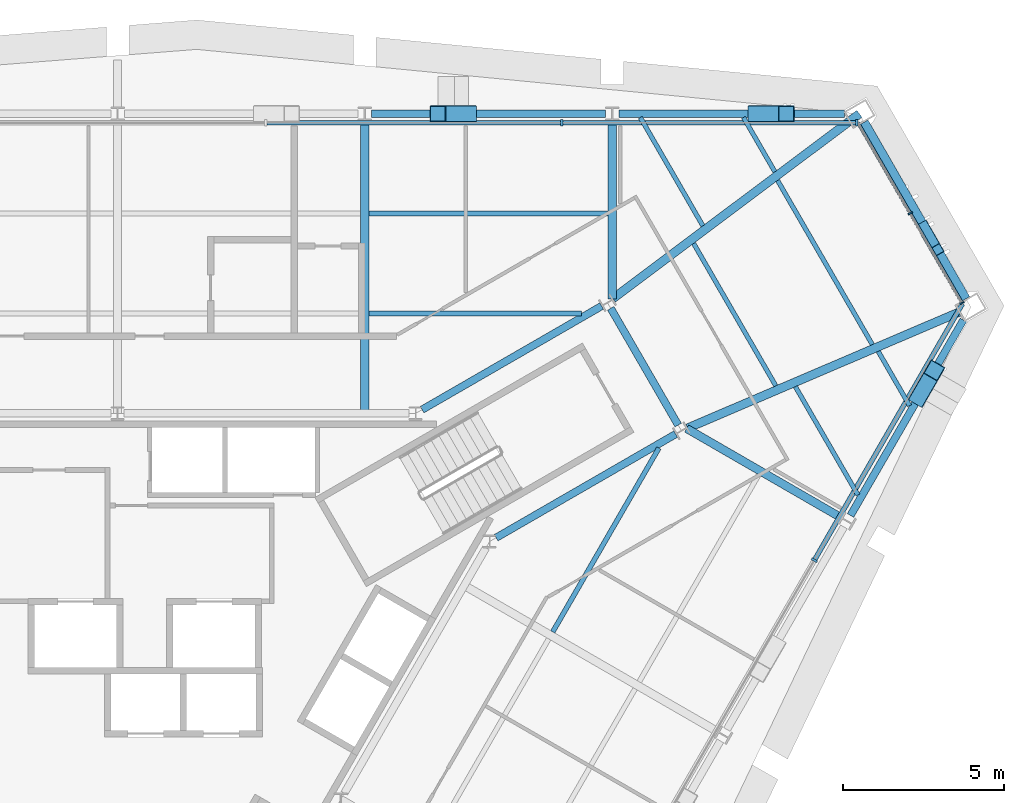
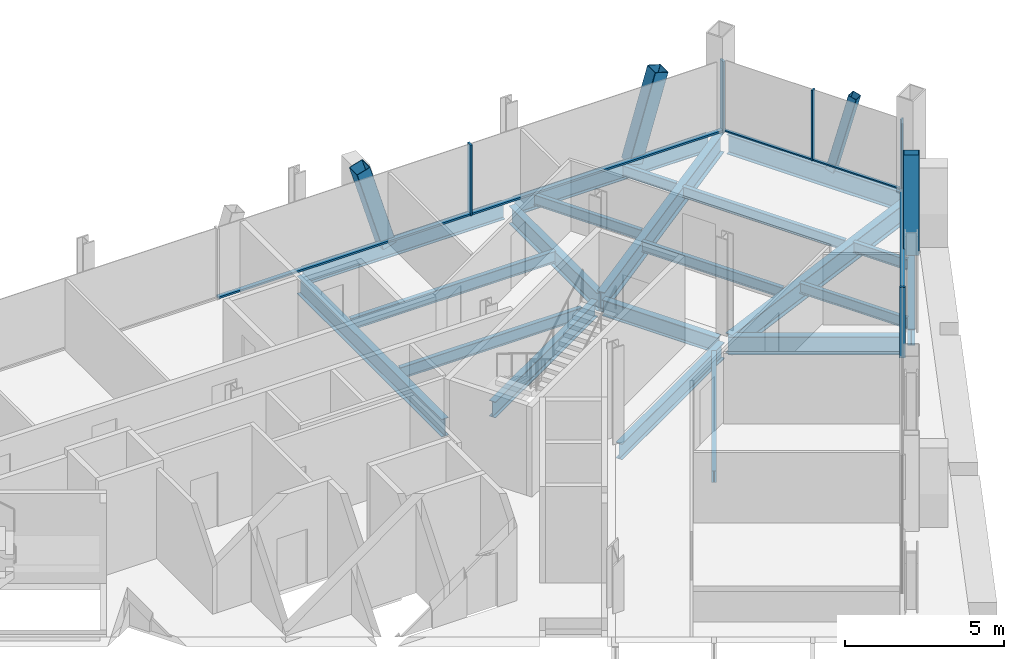
# One storey, part 6 of 13: 21 beams, 14 members, 3 elements without a shape of their own.
"""IFC4 building model written with IfcOpenShell, lengths in metres."""

from ifc_helpers import new_model, si_unit, direction, frame, origin, origin_2d, place, context, subcontext, project, spatial, rectangle, hollow_rectangle, i_section, extrude, material, material_profile, profile_set, type_object, element, aggregate, save


model = new_model("IFC4")

# Units and contexts
model_context = context("Model", 3, precision=1e-05, world=origin(), true_north=direction((0.0, 1.0)))
body_context = subcontext(model_context, "Body", "Model", "MODEL_VIEW")
ifc_project = project(units=[si_unit("LENGTHUNIT", "METRE"), si_unit("AREAUNIT", "SQUARE_METRE"), si_unit("VOLUMEUNIT", "CUBIC_METRE"), si_unit("PLANEANGLEUNIT", "RADIAN"), si_unit("MASSUNIT", "GRAM", prefix="KILO")], contexts=[model_context])

# Site, building, storey
site_placement = place(None, origin())
site = spatial("IfcSite", under=ifc_project, at=site_placement, CompositionType="ELEMENT")
building_placement = place(site_placement, origin())
building = spatial("IfcBuilding", under=site, at=building_placement, Name="Verrane Prism Tower", CompositionType="ELEMENT")
storey_placement = place(building_placement, frame((0.0, 0.0, 163.60009765625)))
storey = spatial("IfcBuildingStorey", under=building, at=storey_placement, Name="L40", CompositionType="ELEMENT", Elevation=163.60009765625)

# Member
ifc_material_1 = material(Name="Steel A500 Grade C", Category="steel")
ifc_material_profile_1 = material_profile(ifc_material_1, hollow_rectangle(XDim=0.3046875, YDim=0.3046875, WallThickness=0.0126953125, InnerFilletRadius=0.00634765625, OuterFilletRadius=0.01904296875, at=origin_2d()), Name="HSS12x12x1/2")
ifc_profile_set_1 = profile_set([ifc_material_profile_1], Name="Steel A500 Grade C")
member_type_1 = type_object("IfcMemberType", Name="Chamfer brace HSS12x12x1/2", PredefinedType="BRACE", material=ifc_profile_set_1)
member_1_placement = place(storey_placement, frame((25.066650390625, 13.80712890625, -0.24267578125), z_axis=(0.129062380199, -0.224208896818, 0.965957179488), x_axis=(0.866668570317, 0.498884344538, 0.0)))
element("IfcMember", 1, at=member_1_placement, inside=storey, type_object=member_type_1, Name="Chamfer brace NE0 L40", PredefinedType="BRACE", context=body_context, shape_type="SweptSolid", body=[
    extrude(hollow_rectangle(XDim=0.3046875, YDim=0.3046875, WallThickness=0.0126953125, InnerFilletRadius=0.00634765625, OuterFilletRadius=0.01904296875, at=origin_2d()), origin(), (0.0, 0.0, 1.0), 3.2177734375),
])

# Beams
ifc_material_2 = material(Name="Steel A992", Category="steel")
ifc_material_profile_2 = material_profile(ifc_material_2, i_section(OverallWidth=0.2666015625, OverallDepth=0.7568359375, WebThickness=0.013916015625, FlangeThickness=0.019287109375, FilletRadius=0.0166015625, at=origin_2d()), Name="W30x108")
ifc_profile_set_2 = profile_set([ifc_material_profile_2], Name="Steel A992")
beam_type_1 = type_object("IfcBeamType", Name="Chamfer spandrel beam W30x108", PredefinedType="SPANDREL", material=ifc_profile_set_2)
beam_1_placement = place(storey_placement, frame((26.3603515625, 11.56005859375, -0.53857421875), z_axis=(-0.498933745764, 0.866640131391, 0.0), x_axis=(-0.866640131391, -0.498933745764, 0.0)))
element("IfcBeam", 2, at=beam_1_placement, inside=storey, type_object=beam_type_1, Name="Chamfer spandrel beam L40", PredefinedType="SPANDREL", context=body_context, shape_type="SweptSolid", body=[
    extrude(i_section(OverallWidth=0.2666015625, OverallDepth=0.7568359375, WebThickness=0.013916015625, FlangeThickness=0.019287109375, FilletRadius=0.0166015625, at=origin_2d()), origin(), (0.0, 0.0, 1.0), 6.334716796875),
])
ifc_material_3 = material(Name="Steel A992", Category="steel")
ifc_material_profile_3 = material_profile(ifc_material_3, i_section(OverallWidth=0.23046875, OverallDepth=0.6171875, WebThickness=0.01318359375, FlangeThickness=0.022216796875, FilletRadius=0.012939453125, at=origin_2d()), Name="W24x94")
ifc_profile_set_3 = profile_set([ifc_material_profile_3], Name="Steel A992")
beam_type_2 = type_object("IfcBeamType", Name="Core ring girder W24x94", PredefinedType="BEAM", material=ifc_profile_set_3)
beam_2_placement = place(storey_placement, frame((11.7607421875, 4.1357421875, -0.55859375), z_axis=(0.866075143088, 0.499913839102, 0.0), x_axis=(-0.499913839102, 0.866075143088, 0.0)))
element("IfcBeam", 3, at=beam_2_placement, inside=storey, type_object=beam_type_2, Name="Core ring girder L40", PredefinedType="BEAM", context=body_context, shape_type="SweptSolid", body=[
    extrude(i_section(OverallWidth=0.23046875, OverallDepth=0.6171875, WebThickness=0.01318359375, FlangeThickness=0.022216796875, FilletRadius=0.012939453125, at=origin_2d()), origin(), (0.0, 0.0, 1.0), 6.441650390625),
])
beam_3_placement = place(storey_placement, frame((17.418212890625, 7.635986328125, -0.55859375), z_axis=(-0.500305747711, 0.865848808284, 0.0), x_axis=(-0.865848808284, -0.500305747711, 0.0)))
element("IfcBeam", 4, at=beam_3_placement, inside=storey, type_object=beam_type_2, Name="Core ring girder L40", PredefinedType="BEAM", context=body_context, shape_type="SweptSolid", body=[
    extrude(i_section(OverallWidth=0.23046875, OverallDepth=0.6171875, WebThickness=0.01318359375, FlangeThickness=0.022216796875, FilletRadius=0.012939453125, at=origin_2d()), origin(), (0.0, 0.0, 1.0), 4.1904296875),
])
beam_4_placement = place(storey_placement, frame((15.03955078125, 11.3359375, -0.55859375), z_axis=(-0.866075143088, -0.499913839102, 0.0), x_axis=(0.499913839102, -0.866075143088, 0.0)))
element("IfcBeam", 5, at=beam_4_placement, inside=storey, type_object=beam_type_2, Name="Core ring girder L40", PredefinedType="BEAM", context=body_context, shape_type="SweptSolid", body=[
    extrude(i_section(OverallWidth=0.23046875, OverallDepth=0.6171875, WebThickness=0.01318359375, FlangeThickness=0.022216796875, FilletRadius=0.012939453125, at=origin_2d()), origin(), (0.0, 0.0, 1.0), 6.441650390625),
])
ifc_material_4 = material(Name="Steel A992", Category="steel")
ifc_material_profile_4 = material_profile(ifc_material_4, i_section(OverallWidth=0.2666015625, OverallDepth=0.76708984375, WebThickness=0.014892578125, FlangeThickness=0.023681640625, FilletRadius=0.0166015625, at=origin_2d()), Name="W30x124")
ifc_profile_set_4 = profile_set([ifc_material_profile_4], Name="Steel A992")
beam_type_3 = type_object("IfcBeamType", Name="Corner girder W30x124", PredefinedType="BEAM", material=ifc_profile_set_4)
beam_5_placement = place(storey_placement, frame((26.139404296875, 11.1416015625, -0.603515625), z_axis=(-0.919628068882, -0.392790293827, 0.0), x_axis=(0.392790293827, -0.919628068882, 0.0)))
element("IfcBeam", 6, at=beam_5_placement, inside=storey, type_object=beam_type_3, Name="Corner girder L40", PredefinedType="BEAM", context=body_context, shape_type="SweptSolid", body=[
    extrude(i_section(OverallWidth=0.2666015625, OverallDepth=0.76708984375, WebThickness=0.014892578125, FlangeThickness=0.023681640625, FilletRadius=0.0166015625, at=origin_2d()), origin(), (0.0, 0.0, 1.0), 9.162841796875),
])
beam_6_placement = place(storey_placement, frame((23.048583984375, 17.308837890625, -0.603515625), z_axis=(-0.800128499961, -0.599828628485, 0.0), x_axis=(0.599828628485, -0.800128499961, 0.0)))
element("IfcBeam", 7, at=beam_6_placement, inside=storey, type_object=beam_type_3, Name="Corner girder L40", PredefinedType="BEAM", context=body_context, shape_type="SweptSolid", body=[
    extrude(i_section(OverallWidth=0.2666015625, OverallDepth=0.76708984375, WebThickness=0.014892578125, FlangeThickness=0.023681640625, FilletRadius=0.0166015625, at=origin_2d()), origin(), (0.0, 0.0, 1.0), 9.57421875),
])

# Members
ifc_material_5 = material(Name="Steel A500 Grade C", Category="steel")
ifc_material_profile_5 = material_profile(ifc_material_5, hollow_rectangle(XDim=0.508056640625, YDim=0.508056640625, WallThickness=0.01904296875, InnerFilletRadius=0.009521484375, OuterFilletRadius=0.028564453125, at=origin_2d()), Name="HSS20x20x3/4")
ifc_profile_set_5 = profile_set([ifc_material_profile_5], Name="Steel A500 Grade C")
member_type_2 = type_object("IfcMemberType", Name="Facade brace HSS20x20x3/4", PredefinedType="BRACE", material=ifc_profile_set_5)
member_2_placement = place(storey_placement, frame((19.833251953125, 17.31005859375, -0.216796875), z_axis=(0.284282806219, 0.0, 0.958740468578), x_axis=(0.0, 1.0, 0.0)))
element("IfcMember", 8, at=member_2_placement, inside=storey, type_object=member_type_2, Name="Facade brace N0 L40", PredefinedType="BRACE", context=body_context, shape_type="SweptSolid", body=[
    extrude(hollow_rectangle(XDim=0.508056640625, YDim=0.508056640625, WallThickness=0.01904296875, InnerFilletRadius=0.009521484375, OuterFilletRadius=0.028564453125, at=origin_2d()), origin(), (0.0, 0.0, 1.0), 3.333740234375),
])
member_3_placement = place(storey_placement, frame((10.90087890625, 17.31005859375, -0.216796875), z_axis=(-0.284619317287, 0.0, 0.958640623084), x_axis=(0.0, -1.0, 0.0)))
element("IfcMember", 9, at=member_3_placement, inside=storey, type_object=member_type_2, Name="Facade brace N1 L40", PredefinedType="BRACE", context=body_context, shape_type="SweptSolid", body=[
    extrude(hollow_rectangle(XDim=0.508056640625, YDim=0.508056640625, WallThickness=0.01904296875, InnerFilletRadius=0.009521484375, OuterFilletRadius=0.028564453125, at=origin_2d()), origin(), (0.0, 0.0, 1.0), 3.334228515625),
])
member_4_placement = place(storey_placement, frame((24.901611328125, 8.5146484375, -0.216796875), z_axis=(0.142143736486, 0.246133487031, 0.958756207145), x_axis=(-0.865966742331, 0.500101590855, 0.0)))
element("IfcMember", 10, at=member_4_placement, inside=storey, type_object=member_type_2, Name="Facade brace SE5 L40", PredefinedType="BRACE", context=body_context, shape_type="SweptSolid", body=[
    extrude(hollow_rectangle(XDim=0.508056640625, YDim=0.508056640625, WallThickness=0.01904296875, InnerFilletRadius=0.009521484375, OuterFilletRadius=0.028564453125, at=origin_2d()), origin(), (0.0, 0.0, 1.0), 3.333740234375),
])

# Beams
ifc_material_6 = material(Name="Steel A992", Category="steel")
ifc_material_profile_6 = material_profile(ifc_material_6, i_section(OverallWidth=0.140380859375, OverallDepth=0.40380859375, WebThickness=0.007080078125, FlangeThickness=0.01123046875, FilletRadius=0.01025390625, at=origin_2d()), Name="W16x31")
ifc_profile_set_6 = profile_set([ifc_material_profile_6], Name="Steel A992")
beam_type_4 = type_object("IfcBeamType", Name="Floor beam W16x31", PredefinedType="BEAM", material=ifc_profile_set_6)
beam_7_placement = place(storey_placement, frame((20.4228515625, 15.50634765625, -0.362060546875), z_axis=(-0.49995005938, 0.866054235095, 0.0), x_axis=(-0.866054235095, -0.49995005938, 0.0)))
element("IfcBeam", 11, at=beam_7_placement, inside=storey, type_object=beam_type_4, Name="Floor beam L40", PredefinedType="BEAM", context=body_context, shape_type="SweptSolid", body=[
    extrude(i_section(OverallWidth=0.140380859375, OverallDepth=0.40380859375, WebThickness=0.007080078125, FlangeThickness=0.01123046875, FilletRadius=0.01025390625, at=origin_2d()), origin(), (0.0, 0.0, 1.0), 1.949951171875),
])
beam_8_placement = place(storey_placement, frame((18.18505859375, 13.828125, -0.362060546875), z_axis=(-0.499988811324, 0.866031863473, 0.0), x_axis=(-0.866031863473, -0.499988811324, 0.0)))
element("IfcBeam", 12, at=beam_8_placement, inside=storey, type_object=beam_type_4, Name="Floor beam L40", PredefinedType="BEAM", context=body_context, shape_type="SweptSolid", body=[
    extrude(i_section(OverallWidth=0.140380859375, OverallDepth=0.40380859375, WebThickness=0.007080078125, FlangeThickness=0.01123046875, FilletRadius=0.01025390625, at=origin_2d()), origin(), (0.0, 0.0, 1.0), 3.8876953125),
])
beam_9_placement = place(storey_placement, frame((24.60888671875, 8.23779296875, -0.362060546875), z_axis=(-0.499935549689, 0.866062610991, 0.0), x_axis=(-0.866062610991, -0.499935549689, 0.0)))
element("IfcBeam", 13, at=beam_9_placement, inside=storey, type_object=beam_type_4, Name="Floor beam L40", PredefinedType="BEAM", context=body_context, shape_type="SweptSolid", body=[
    extrude(i_section(OverallWidth=0.140380859375, OverallDepth=0.40380859375, WebThickness=0.007080078125, FlangeThickness=0.01123046875, FilletRadius=0.01025390625, at=origin_2d()), origin(), (0.0, 0.0, 1.0), 1.950439453125),
])
beam_10_placement = place(storey_placement, frame((23.00537109375, 5.460693359375, -0.362060546875), z_axis=(-0.500001430823, 0.866024577697, 0.0), x_axis=(-0.866024577697, -0.500001430823, 0.0)))
element("IfcBeam", 14, at=beam_10_placement, inside=storey, type_object=beam_type_4, Name="Floor beam L40", PredefinedType="BEAM", context=body_context, shape_type="SweptSolid", body=[
    extrude(i_section(OverallWidth=0.140380859375, OverallDepth=0.40380859375, WebThickness=0.007080078125, FlangeThickness=0.01123046875, FilletRadius=0.01025390625, at=origin_2d()), origin(), (0.0, 0.0, 1.0), 3.888671875),
])
beam_11_placement = place(storey_placement, frame((23.450439453125, 10.138916015625, -0.362060546875), z_axis=(-0.499984561422, 0.866034317068, 0.0), x_axis=(-0.866034317068, -0.499984561422, 0.0)))
element("IfcBeam", 15, at=beam_11_placement, inside=storey, type_object=beam_type_4, Name="Floor beam L40", PredefinedType="BEAM", context=body_context, shape_type="SweptSolid", body=[
    extrude(i_section(OverallWidth=0.140380859375, OverallDepth=0.40380859375, WebThickness=0.007080078125, FlangeThickness=0.01123046875, FilletRadius=0.01025390625, at=origin_2d()), origin(), (0.0, 0.0, 1.0), 5.885986328125),
])
beam_12_placement = place(storey_placement, frame((20.450439453125, 8.85791015625, -0.362060546875), z_axis=(-0.499991534382, 0.866030291356, 0.0), x_axis=(-0.866030291356, -0.499991534382, 0.0)))
element("IfcBeam", 16, at=beam_12_placement, inside=storey, type_object=beam_type_4, Name="Floor beam L40", PredefinedType="BEAM", context=body_context, shape_type="SweptSolid", body=[
    extrude(i_section(OverallWidth=0.140380859375, OverallDepth=0.40380859375, WebThickness=0.007080078125, FlangeThickness=0.01123046875, FilletRadius=0.01025390625, at=origin_2d()), origin(), (0.0, 0.0, 1.0), 5.10498046875),
])
ifc_material_7 = material(Name="Steel A992", Category="steel")
ifc_material_profile_7 = material_profile(ifc_material_7, i_section(OverallWidth=0.15234375, OverallDepth=0.449462890625, WebThickness=0.007568359375, FlangeThickness=0.0107421875, FilletRadius=0.01025390625, at=origin_2d()), Name="W18x35")
ifc_profile_set_7 = profile_set([ifc_material_profile_7], Name="Steel A992")
beam_type_5 = type_object("IfcBeamType", Name="Floor beam W18x35", PredefinedType="BEAM", material=ifc_profile_set_7)
beam_13_placement = place(storey_placement, frame((7.806884765625, 11.103271484375, -0.385009765625), z_axis=(1.0, 0.0, 0.0), x_axis=(0.0, 1.0, 0.0)))
element("IfcBeam", 17, at=beam_13_placement, inside=storey, type_object=beam_type_5, Name="Floor beam L40", PredefinedType="BEAM", context=body_context, shape_type="SweptSolid", body=[
    extrude(i_section(OverallWidth=0.15234375, OverallDepth=0.449462890625, WebThickness=0.007568359375, FlangeThickness=0.0107421875, FilletRadius=0.01025390625, at=origin_2d()), origin(), (0.0, 0.0, 1.0), 6.599853515625),
])
beam_14_placement = place(storey_placement, frame((7.806884765625, 14.206787109375, -0.385009765625), z_axis=(1.0, 0.0, 0.0), x_axis=(0.0, 1.0, 0.0)))
element("IfcBeam", 18, at=beam_14_placement, inside=storey, type_object=beam_type_5, Name="Floor beam L40", PredefinedType="BEAM", context=body_context, shape_type="SweptSolid", body=[
    extrude(i_section(OverallWidth=0.15234375, OverallDepth=0.449462890625, WebThickness=0.007568359375, FlangeThickness=0.0107421875, FilletRadius=0.01025390625, at=origin_2d()), origin(), (0.0, 0.0, 1.0), 7.43603515625),
])
beam_15_placement = place(storey_placement, frame((13.519775390625, 1.210205078125, -0.385009765625), z_axis=(0.500012988063, 0.866017904993, 0.0), x_axis=(-0.866017904993, 0.500012988063, 0.0)))
element("IfcBeam", 19, at=beam_15_placement, inside=storey, type_object=beam_type_5, Name="Floor beam L40", PredefinedType="BEAM", context=body_context, shape_type="SweptSolid", body=[
    extrude(i_section(OverallWidth=0.15234375, OverallDepth=0.449462890625, WebThickness=0.007568359375, FlangeThickness=0.0107421875, FilletRadius=0.01025390625, at=origin_2d()), origin(), (0.0, 0.0, 1.0), 6.594970703125),
])

# Curtain wall, members
ifc_material_8 = material(Name="Aluminium framed insulated glazing", Category="aluminium")
curtain_wall_type_1 = type_object("IfcCurtainWallType", Name="Curtain wall CW-C 4200 module", PredefinedType="NOTDEFINED", material=ifc_material_8)
curtain_wall_1_placement = place(storey_placement, origin())
curtain_wall_1 = element("IfcCurtainWall", 20, at=curtain_wall_1_placement, inside=storey, type_object=curtain_wall_type_1, Name="Glazed curtain wall north-east corner L40", PredefinedType="NOTDEFINED")
ifc_material_9 = material(Name="Aluminium alloy 6063-T6", Category="aluminium")
ifc_material_profile_8 = material_profile(ifc_material_9, rectangle(XDim=0.139892578125, YDim=0.050048828125, at=origin_2d()), Name="Mullion 50x140 aluminium")
ifc_profile_set_8 = profile_set([ifc_material_profile_8], Name="Aluminium alloy 6063-T6")
member_type_3 = type_object("IfcMemberType", Name="Mullion 50x140 aluminium", PredefinedType="MULLION", material=ifc_profile_set_8)
member_5_placement = place(storey_placement, frame((26.23876953125, 11.42822265625, 0.0), z_axis=(0.0, 0.0, 1.0), x_axis=(-0.866021993679, -0.50000590643, 0.0)))
member_5 = element("IfcMember", 21, at=member_5_placement, type_object=member_type_3, Name="CW39.1 mullion 1", PredefinedType="MULLION", context=body_context, shape_type="SweptSolid", body=[
    extrude(rectangle(XDim=0.139892578125, YDim=0.050048828125, at=origin_2d()), origin(), (0.0, 0.0, 1.0), 2.712890625),
])
member_6_placement = place(storey_placement, frame((24.627685546875, 14.21875, 0.0), z_axis=(0.0, 0.0, 1.0), x_axis=(-0.866021993679, -0.50000590643, 0.0)))
member_6 = element("IfcMember", 22, at=member_6_placement, type_object=member_type_3, Name="CW39.1 mullion 2", PredefinedType="MULLION", context=body_context, shape_type="SweptSolid", body=[
    extrude(rectangle(XDim=0.139892578125, YDim=0.050048828125, at=origin_2d()), origin(), (0.0, 0.0, 1.0), 2.712890625),
])

ifc_material_10 = material(Name="Aluminium framed insulated glazing", Category="aluminium")
curtain_wall_type_2 = type_object("IfcCurtainWallType", Name="Curtain wall CW-A 8400 module", PredefinedType="NOTDEFINED", material=ifc_material_10)
curtain_wall_2_placement = place(storey_placement, origin())
curtain_wall_2 = element("IfcCurtainWall", 23, at=curtain_wall_2_placement, inside=storey, type_object=curtain_wall_type_2, Name="Glazed curtain wall north face L40", PredefinedType="NOTDEFINED")
ifc_material_11 = material(Name="Aluminium alloy 6063-T6", Category="aluminium")
ifc_material_profile_9 = material_profile(ifc_material_11, rectangle(XDim=0.199951171875, YDim=0.070068359375, at=origin_2d()), Name="Mullion 70x200 aluminium")
ifc_profile_set_9 = profile_set([ifc_material_profile_9], Name="Aluminium alloy 6063-T6")
member_type_4 = type_object("IfcMemberType", Name="Mullion 70x200 aluminium", PredefinedType="MULLION", material=ifc_profile_set_9)
member_7_placement = place(storey_placement, frame((22.968994140625, 17.031005859375, 0.0), z_axis=(0.0, 0.0, 1.0), x_axis=(0.0, -1.0, 0.0)))
member_7 = element("IfcMember", 24, at=member_7_placement, type_object=member_type_4, Name="CW39.2 mullion 1", PredefinedType="MULLION", context=body_context, shape_type="SweptSolid", body=[
    extrude(rectangle(XDim=0.199951171875, YDim=0.070068359375, at=origin_2d()), origin(), (0.0, 0.0, 1.0), 2.712890625),
])
member_8_placement = place(storey_placement, frame((13.802490234375, 17.031005859375, 0.0), z_axis=(0.0, 0.0, 1.0), x_axis=(0.0, -1.0, 0.0)))
member_8 = element("IfcMember", 25, at=member_8_placement, type_object=member_type_4, Name="CW39.2 mullion 2", PredefinedType="MULLION", context=body_context, shape_type="SweptSolid", body=[
    extrude(rectangle(XDim=0.199951171875, YDim=0.070068359375, at=origin_2d()), origin(), (0.0, 0.0, 1.0), 2.712890625),
])

# Curtain wall, member
curtain_wall_3_placement = place(storey_placement, origin())
curtain_wall_3 = element("IfcCurtainWall", 26, at=curtain_wall_3_placement, inside=storey, type_object=curtain_wall_type_2, Name="Glazed curtain wall south-east face L40", PredefinedType="NOTDEFINED")
member_9_placement = place(storey_placement, frame((21.650390625, 3.437744140625, 0.0), z_axis=(0.0, 0.0, 1.0), x_axis=(-0.86602596468, 0.499999028499, 0.0)))
member_9 = element("IfcMember", 27, at=member_9_placement, type_object=member_type_4, Name="CW39.6 mullion 5", PredefinedType="MULLION", context=body_context, shape_type="SweptSolid", body=[
    extrude(rectangle(XDim=0.199951171875, YDim=0.070068359375, at=origin_2d()), origin(), (0.0, 0.0, 1.0), 2.712890625),
])

# Beams
ifc_material_12 = material(Name="Steel A992", Category="steel")
ifc_material_profile_10 = material_profile(ifc_material_12, i_section(OverallWidth=0.25390625, OverallDepth=0.683349609375, WebThickness=0.012451171875, FlangeThickness=0.01904296875, FilletRadius=0.01513671875, at=origin_2d()), Name="W27x94")
ifc_profile_set_10 = profile_set([ifc_material_profile_10], Name="Steel A992")
beam_type_6 = type_object("IfcBeamType", Name="Radial girder W27x94", PredefinedType="BEAM", material=ifc_profile_set_10)
beam_16_placement = place(storey_placement, frame((15.3701171875, 17.0927734375, -0.561767578125), z_axis=(0.0, -1.0, 0.0), x_axis=(1.0, 0.0, 0.0)))
element("IfcBeam", 28, at=beam_16_placement, inside=storey, type_object=beam_type_6, Name="Radial girder L40", PredefinedType="BEAM", context=body_context, shape_type="SweptSolid", body=[
    extrude(i_section(OverallWidth=0.25390625, OverallDepth=0.683349609375, WebThickness=0.012451171875, FlangeThickness=0.01904296875, FilletRadius=0.01513671875, at=origin_2d()), origin(), (0.0, 0.0, 1.0), 5.540283203125),
])
beam_17_placement = place(storey_placement, frame((7.679931640625, 17.0927734375, -0.561767578125), z_axis=(0.0, -1.0, 0.0), x_axis=(1.0, 0.0, 0.0)))
element("IfcBeam", 29, at=beam_17_placement, inside=storey, type_object=beam_type_6, Name="Radial girder L40", PredefinedType="BEAM", context=body_context, shape_type="SweptSolid", body=[
    extrude(i_section(OverallWidth=0.25390625, OverallDepth=0.683349609375, WebThickness=0.012451171875, FlangeThickness=0.01904296875, FilletRadius=0.01513671875, at=origin_2d()), origin(), (0.0, 0.0, 1.0), 9.0927734375),
])
beam_18_placement = place(storey_placement, frame((22.48193359375, 4.758544921875, -0.561767578125), z_axis=(-0.866016849815, 0.500014815617, 0.0), x_axis=(-0.500014815617, -0.866016849815, 0.0)))
element("IfcBeam", 30, at=beam_18_placement, inside=storey, type_object=beam_type_6, Name="Radial girder L40", PredefinedType="BEAM", context=body_context, shape_type="SweptSolid", body=[
    extrude(i_section(OverallWidth=0.25390625, OverallDepth=0.683349609375, WebThickness=0.012451171875, FlangeThickness=0.01904296875, FilletRadius=0.01513671875, at=origin_2d()), origin(), (0.0, 0.0, 1.0), 5.541748046875),
])
ifc_material_13 = material(Name="Steel A992", Category="steel")
ifc_material_profile_11 = material_profile(ifc_material_13, i_section(OverallWidth=0.23046875, OverallDepth=0.6171875, WebThickness=0.01318359375, FlangeThickness=0.022216796875, FilletRadius=0.012939453125, at=origin_2d()), Name="W24x94")
ifc_profile_set_11 = profile_set([ifc_material_profile_11], Name="Steel A992")
beam_type_7 = type_object("IfcBeamType", Name="Spandrel beam W24x94", PredefinedType="SPANDREL", material=ifc_profile_set_11)
beam_19_placement = place(storey_placement, frame((22.588134765625, 17.31005859375, -0.46875), z_axis=(-1.0, 0.0, 0.0), x_axis=(0.0, -1.0, 0.0)))
element("IfcBeam", 31, at=beam_19_placement, inside=storey, type_object=beam_type_7, Name="Spandrel beam L40", PredefinedType="SPANDREL", context=body_context, shape_type="SweptSolid", body=[
    extrude(i_section(OverallWidth=0.23046875, OverallDepth=0.6171875, WebThickness=0.01318359375, FlangeThickness=0.022216796875, FilletRadius=0.012939453125, at=origin_2d()), origin(), (0.0, 0.0, 1.0), 7.012451171875),
])
beam_20_placement = place(storey_placement, frame((15.164306640625, 17.31005859375, -0.46875), z_axis=(-1.0, 0.0, 0.0), x_axis=(0.0, -1.0, 0.0)))
element("IfcBeam", 32, at=beam_20_placement, inside=storey, type_object=beam_type_7, Name="Spandrel beam L40", PredefinedType="SPANDREL", context=body_context, shape_type="SweptSolid", body=[
    extrude(i_section(OverallWidth=0.23046875, OverallDepth=0.6171875, WebThickness=0.01318359375, FlangeThickness=0.022216796875, FilletRadius=0.012939453125, at=origin_2d()), origin(), (0.0, 0.0, 1.0), 7.278564453125),
])
beam_21_placement = place(storey_placement, frame((22.77294921875, 4.828125, -0.46875), z_axis=(0.5000600333, 0.865990740768, 0.0), x_axis=(-0.865990740768, 0.5000600333, 0.0)))
element("IfcBeam", 33, at=beam_21_placement, inside=storey, type_object=beam_type_7, Name="Spandrel beam L40", PredefinedType="SPANDREL", context=body_context, shape_type="SweptSolid", body=[
    extrude(i_section(OverallWidth=0.23046875, OverallDepth=0.6171875, WebThickness=0.01318359375, FlangeThickness=0.022216796875, FilletRadius=0.012939453125, at=origin_2d()), origin(), (0.0, 0.0, 1.0), 7.011474609375),
])

# Member
ifc_material_14 = material(Name="Aluminium alloy 6063-T6", Category="aluminium")
ifc_material_profile_12 = material_profile(ifc_material_14, rectangle(XDim=0.10009765625, YDim=0.050048828125, at=origin_2d()), Name="Transom 50x100 aluminium")
ifc_profile_set_12 = profile_set([ifc_material_profile_12], Name="Aluminium alloy 6063-T6")
member_type_5 = type_object("IfcMemberType", Name="Transom 50x100 aluminium", PredefinedType="USERDEFINED", material=ifc_profile_set_12)
member_10_placement = place(storey_placement, frame((26.226318359375, 11.449951171875, 0.02490234375), z_axis=(-0.500004468681, 0.866022823775, 0.0), x_axis=(-0.866022823775, -0.500004468681, 0.0)))
member_10 = element("IfcMember", 34, at=member_10_placement, type_object=member_type_5, Name="CW39.1 transom 1", ObjectType="TRANSOM", PredefinedType="USERDEFINED", context=body_context, shape_type="SweptSolid", body=[
    extrude(rectangle(XDim=0.10009765625, YDim=0.050048828125, at=origin_2d()), origin(), (0.0, 0.0, 1.0), 3.17236328125),
])

member_11_placement = place(storey_placement, frame((24.615234375, 14.240478515625, 0.02490234375), z_axis=(-0.50005036918, 0.865996321171, 0.0), x_axis=(-0.865996321171, -0.50005036918, 0.0)))
member_11 = element("IfcMember", 35, at=member_11_placement, type_object=member_type_5, Name="CW39.1 transom 2", ObjectType="TRANSOM", PredefinedType="USERDEFINED", context=body_context, shape_type="SweptSolid", body=[
    extrude(rectangle(XDim=0.10009765625, YDim=0.050048828125, at=origin_2d()), origin(), (0.0, 0.0, 1.0), 3.222412109375),
])

aggregate(curtain_wall_1, [member_5, member_6, member_10, member_11])

ifc_material_15 = material(Name="Aluminium alloy 6063-T6", Category="aluminium")
ifc_material_profile_13 = material_profile(ifc_material_15, rectangle(XDim=0.14990234375, YDim=0.070068359375, at=origin_2d()), Name="Transom 70x150 aluminium")
ifc_profile_set_13 = profile_set([ifc_material_profile_13], Name="Aluminium alloy 6063-T6")
member_type_6 = type_object("IfcMemberType", Name="Transom 70x150 aluminium", PredefinedType="USERDEFINED", material=ifc_profile_set_13)
member_12_placement = place(storey_placement, frame((22.93408203125, 17.031005859375, 0.034912109375), z_axis=(-1.0, 0.0, 0.0), x_axis=(0.0, -1.0, 0.0)))
member_12 = element("IfcMember", 36, at=member_12_placement, type_object=member_type_6, Name="CW39.2 transom 1", ObjectType="TRANSOM", PredefinedType="USERDEFINED", context=body_context, shape_type="SweptSolid", body=[
    extrude(rectangle(XDim=0.14990234375, YDim=0.070068359375, at=origin_2d()), origin(), (0.0, 0.0, 1.0), 9.0966796875),
])

member_13_placement = place(storey_placement, frame((13.767333984375, 17.031005859375, 0.034912109375), z_axis=(-1.0, 0.0, 0.0), x_axis=(0.0, -1.0, 0.0)))
member_13 = element("IfcMember", 37, at=member_13_placement, type_object=member_type_6, Name="CW39.2 transom 2", ObjectType="TRANSOM", PredefinedType="USERDEFINED", context=body_context, shape_type="SweptSolid", body=[
    extrude(rectangle(XDim=0.14990234375, YDim=0.070068359375, at=origin_2d()), origin(), (0.0, 0.0, 1.0), 9.131591796875),
])

aggregate(curtain_wall_2, [member_7, member_8, member_12, member_13])

member_14_placement = place(storey_placement, frame((21.66796875, 3.468017578125, 0.034912109375), z_axis=(0.499997575924, 0.866026803321, 0.0), x_axis=(-0.866026803321, 0.499997575924, 0.0)))
member_14 = element("IfcMember", 38, at=member_14_placement, type_object=member_type_6, Name="CW39.6 transom 5", ObjectType="TRANSOM", PredefinedType="USERDEFINED", context=body_context, shape_type="SweptSolid", body=[
    extrude(rectangle(XDim=0.14990234375, YDim=0.070068359375, at=origin_2d()), origin(), (0.0, 0.0, 1.0), 9.16650390625),
])

aggregate(curtain_wall_3, [member_9, member_14])

save(model, "model.ifc")
